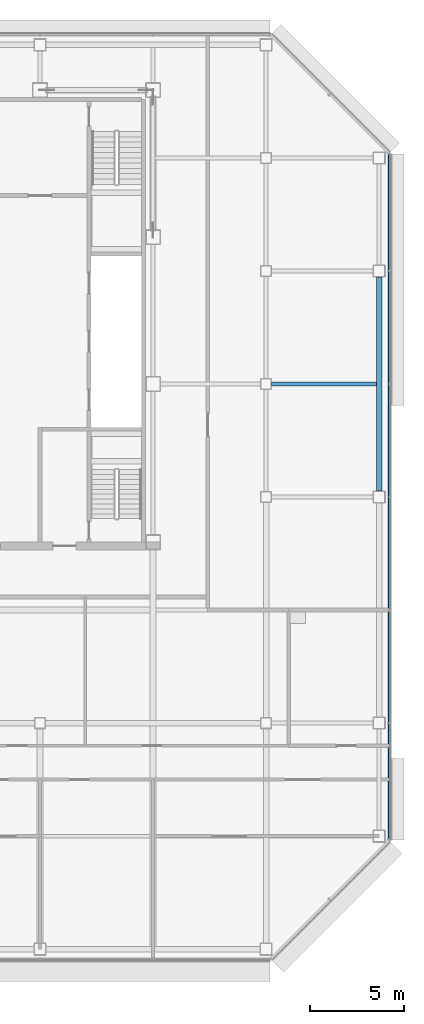
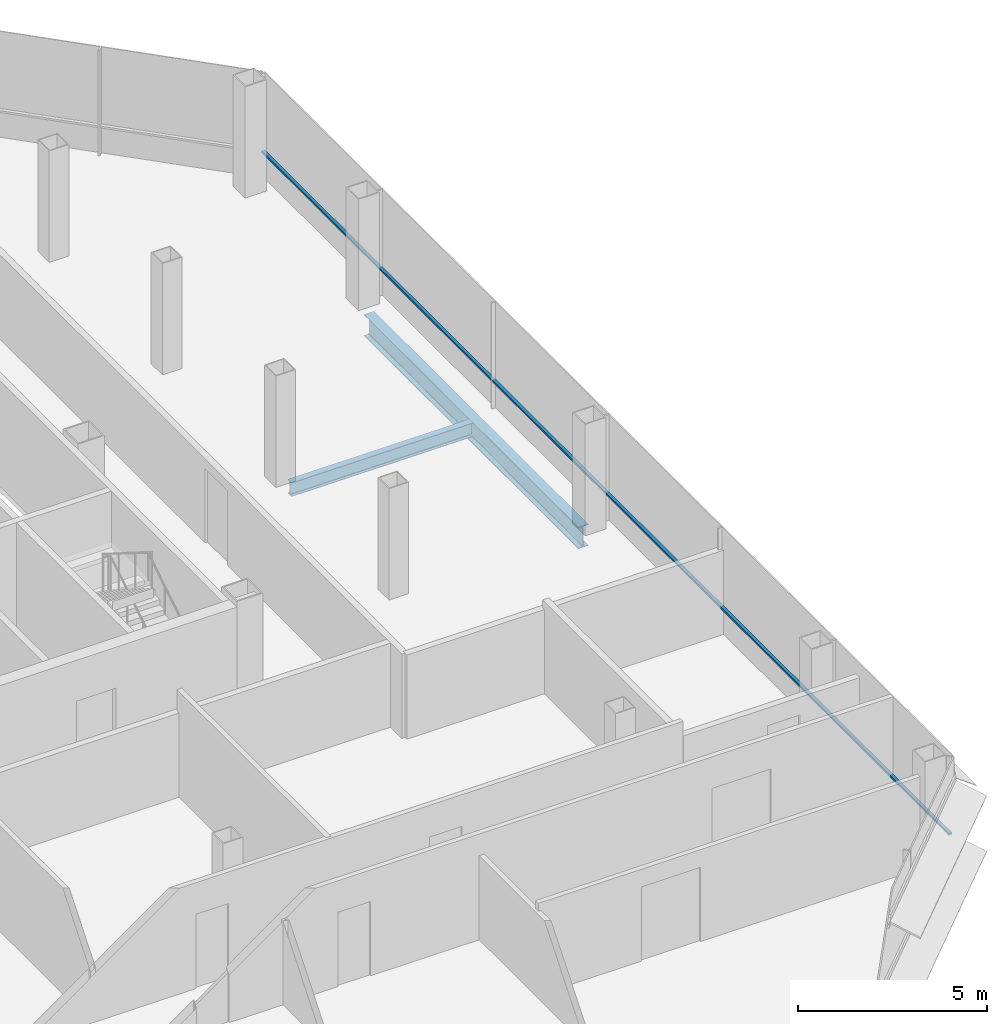
# One storey, part 17 of 27: 2 beams, 1 member, 1 element without a shape of its own.
"""IFC4 building model written with IfcOpenShell, lengths in metres."""

from ifc_helpers import new_model, si_unit, direction, frame, origin, origin_2d, place, context, subcontext, project, spatial, rectangle, i_section, extrude, material, material_profile, profile_set, type_object, element, aggregate, save


model = new_model("IFC4")

# Units and contexts
model_context = context("Model", 3, precision=1e-05, world=origin(), true_north=direction((0.0, 1.0)))
body_context = subcontext(model_context, "Body", "Model", "MODEL_VIEW")
ifc_project = project(units=[si_unit("LENGTHUNIT", "METRE"), si_unit("AREAUNIT", "SQUARE_METRE"), si_unit("VOLUMEUNIT", "CUBIC_METRE"), si_unit("PLANEANGLEUNIT", "RADIAN"), si_unit("MASSUNIT", "GRAM", prefix="KILO")], contexts=[model_context])

# Site, building, storey
site_placement = place(None, origin())
site = spatial("IfcSite", under=ifc_project, at=site_placement, CompositionType="ELEMENT")
building_placement = place(site_placement, origin())
building = spatial("IfcBuilding", under=site, at=building_placement, Name="Sorahane Residences", CompositionType="ELEMENT")
storey_placement = place(building_placement, frame((0.0, 0.0, 226.199951171875)))
storey = spatial("IfcBuildingStorey", under=building, at=storey_placement, Name="L53", CompositionType="ELEMENT", Elevation=226.199951171875)

# Curtain wall, member
ifc_material_1 = material(Name="Dark low-e glass and black anodised aluminium", Category="aluminium")
curtain_wall_type = type_object("IfcCurtainWallType", Name="Curtain wall CW-1 Typical unitised wall", PredefinedType="NOTDEFINED", material=ifc_material_1)
curtain_wall_placement = place(storey_placement, origin())
curtain_wall = element("IfcCurtainWall", 1, at=curtain_wall_placement, inside=storey, type_object=curtain_wall_type, Name="CW-1 curtain wall L53 E1", PredefinedType="NOTDEFINED")
ifc_material_2 = material(Name="Black anodised aluminium", Category="aluminium")
ifc_material_profile_1 = material_profile(ifc_material_2, rectangle(XDim=0.10009765625, YDim=0.06005859375, at=origin_2d()), Name="Curtain wall transom CW-1 black anodised aluminium 60x100")
ifc_profile_set_1 = profile_set([ifc_material_profile_1], Name="Black anodised aluminium")
member_type = type_object("IfcMemberType", Name="Curtain wall transom CW-1 black anodised aluminium 60x100", PredefinedType="USERDEFINED", material=ifc_profile_set_1)
member_placement = place(storey_placement, frame((54.530029296875, 5.801513671875, 0.900146484375), z_axis=(0.0, 1.0, 0.0), x_axis=(-1.0, 0.0, 0.0)))
member = element("IfcMember", 2, at=member_placement, type_object=member_type, Name="CW-1 transom L53 E1", ObjectType="TRANSOM", PredefinedType="USERDEFINED", context=body_context, shape_type="SweptSolid", body=[
    extrude(rectangle(XDim=0.10009765625, YDim=0.06005859375, at=origin_2d()), origin(), (0.0, 0.0, 1.0), 36.39697265625),
])
aggregate(curtain_wall, [member])

# Beams
ifc_material_3 = material(Name="Steel Q355B", Category="steel")
ifc_material_profile_2 = material_profile(ifc_material_3, i_section(OverallWidth=0.199951171875, OverallDepth=0.449951171875, WebThickness=0.009033203125, FlangeThickness=0.013916015625, FilletRadius=0.02001953125, at=origin_2d()), Name="HN 450x200x9x14")
ifc_profile_set_2 = profile_set([ifc_material_profile_2], Name="Steel Q355B")
beam_type_1 = type_object("IfcBeamType", Name="Steel floor beam HN 450x200x9x14 Q355B", PredefinedType="BEAM", material=ifc_profile_set_2)
beam_1_placement = place(storey_placement, frame((48.300048828125, 30.0, -0.405029296875), z_axis=(1.0, 0.0, 0.0), x_axis=(0.0, 1.0, 0.0)))
element("IfcBeam", 3, at=beam_1_placement, inside=storey, type_object=beam_type_1, Name="Beam L53 088", PredefinedType="BEAM", context=body_context, shape_type="SweptSolid", body=[
    extrude(i_section(OverallWidth=0.199951171875, OverallDepth=0.449951171875, WebThickness=0.009033203125, FlangeThickness=0.013916015625, FilletRadius=0.02001953125, at=origin_2d()), origin(), (0.0, 0.0, 1.0), 5.550048828125),
])
ifc_material_4 = material(Name="Steel Q355B", Category="steel")
ifc_material_profile_3 = material_profile(ifc_material_4, i_section(OverallWidth=0.300048828125, OverallDepth=0.699951171875, WebThickness=0.012939453125, FlangeThickness=0.02392578125, FilletRadius=0.028076171875, at=origin_2d()), Name="HN 700x300x13x24")
ifc_profile_set_3 = profile_set([ifc_material_profile_3], Name="Steel Q355B")
beam_type_2 = type_object("IfcBeamType", Name="Steel floor beam HN 700x300x13x24 Q355B", PredefinedType="BEAM", material=ifc_profile_set_3)
beam_2_placement = place(storey_placement, frame((54.0, 24.324951171875, -0.530029296875), z_axis=(0.0, 1.0, 0.0), x_axis=(-1.0, 0.0, 0.0)))
element("IfcBeam", 4, at=beam_2_placement, inside=storey, type_object=beam_type_2, Name="Beam L53 066", PredefinedType="BEAM", context=body_context, shape_type="SweptSolid", body=[
    extrude(i_section(OverallWidth=0.300048828125, OverallDepth=0.699951171875, WebThickness=0.012939453125, FlangeThickness=0.02392578125, FilletRadius=0.028076171875, at=origin_2d()), origin(), (0.0, 0.0, 1.0), 11.35009765625),
])

save(model, "model.ifc")
